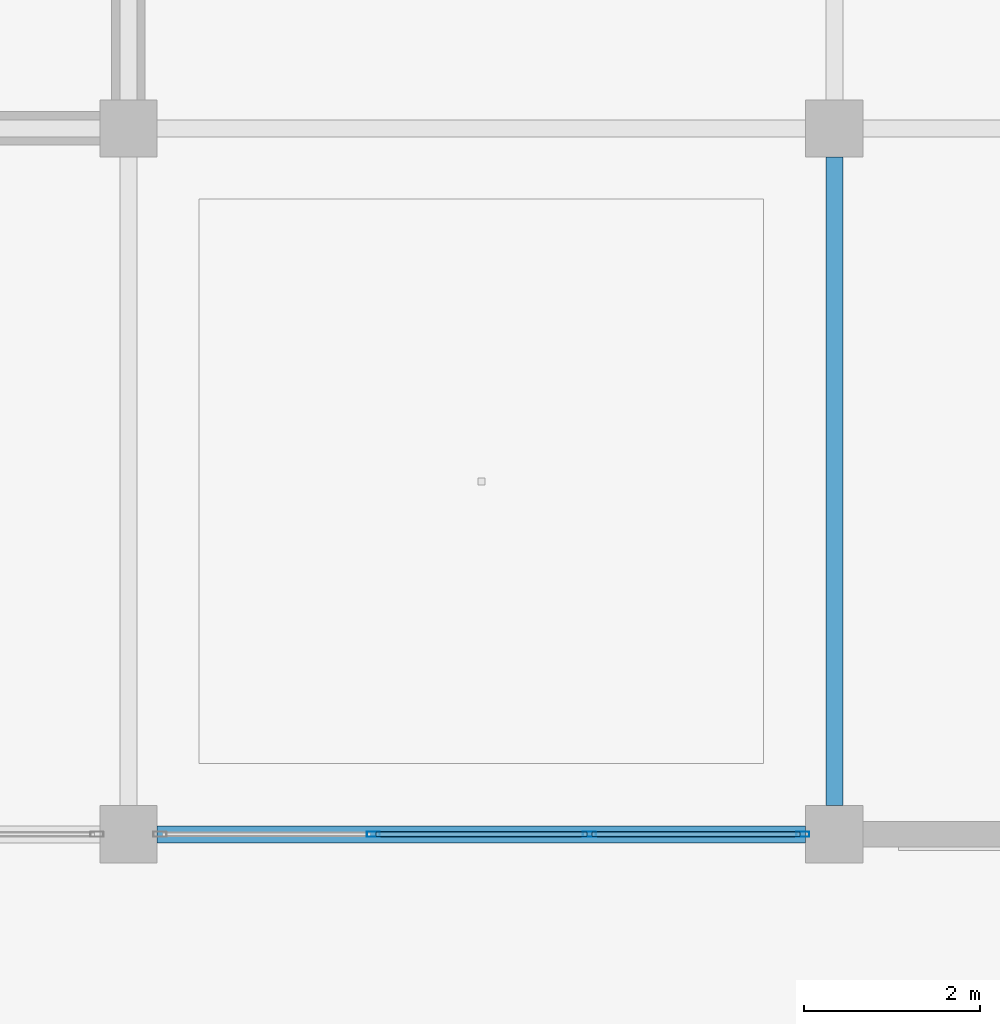
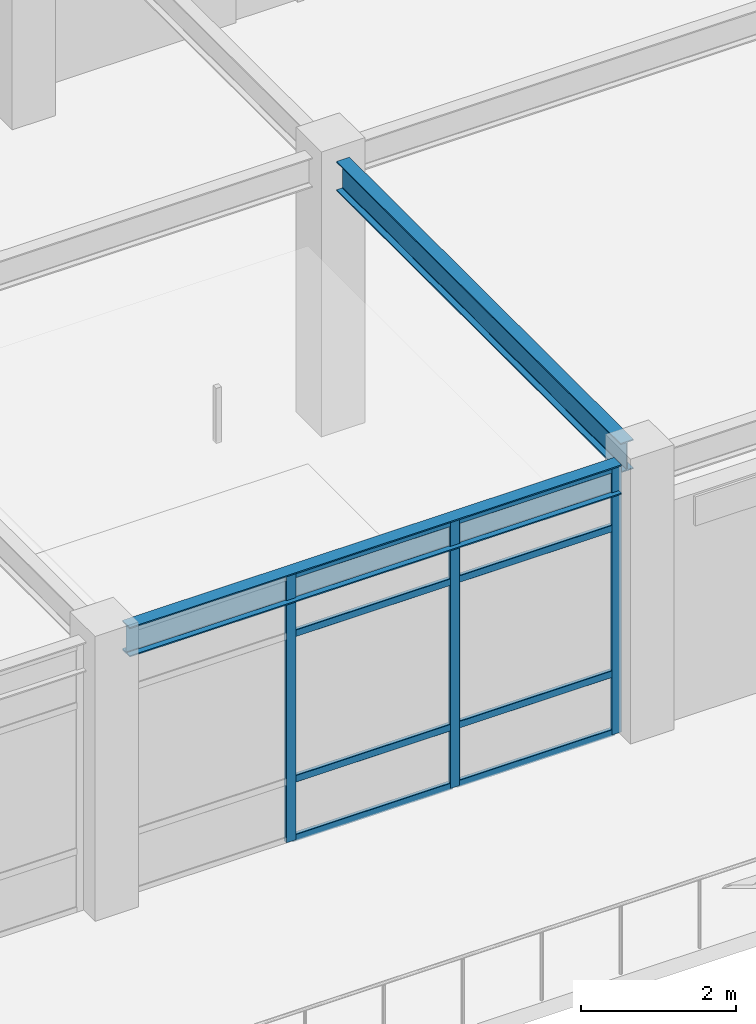
# One storey, part 40 of 78: 11 members, 2 beams, 1 element without a shape of its own.
"""IFC4 building model written with IfcOpenShell, lengths in metres."""

import ifcopenshell
import ifcopenshell.guid

model = None  # the IFC model being written
_history = None  # IfcOwnerHistory: only IFC2X3 demands one
_inside = {}  # id of a spatial element -> (the spatial element, [elements in it])
_under = {}  # id of a project, library or spatial element -> (it, [spatial elements below it])
_declared = {}  # id of a project -> (the project, [libraries it declares])
_typed = {}  # id of a type object -> (the type object, [elements of that type])
_made_of = {}  # id of a material, layer set ... -> (it, [elements and type objects made of it])


def new_model(schema):
    """Start an empty IFC model of exactly this schema.

    Asked for "IFC4X3", IfcOpenShell would pick the latest addendum, in which some entities
    have other attributes; the version numbers below select the first issue.
    IFC2X3 requires an IfcOwnerHistory on every rooted entity: one is made here for all.
    """
    global model, _history
    if schema == "IFC4X3":
        model = ifcopenshell.file(schema_version=(4, 3, 0, 0))
    else:
        model = ifcopenshell.file(schema=schema)
    _inside.clear()
    _under.clear()
    _declared.clear()
    _typed.clear()
    _made_of.clear()
    _history = None
    if model.schema == "IFC2X3":
        org = make("IfcOrganization", Name="unknown")
        user = make(
            "IfcPersonAndOrganization",
            ThePerson=make("IfcPerson", FamilyName="unknown"),
            TheOrganization=org,
        )
        app = make(
            "IfcApplication",
            ApplicationDeveloper=org,
            Version="unknown",
            ApplicationFullName="unknown",
            ApplicationIdentifier="unknown",
        )
        _history = make(
            "IfcOwnerHistory",
            OwningUser=user,
            OwningApplication=app,
            ChangeAction="ADDED",
            CreationDate=0,
        )
    return model


def make(cls, **values):
    """One entity of the class cls with the attributes given. An attribute that is None is left unset."""
    return model.create_entity(
        cls, **{name: value for name, value in values.items() if value is not None}
    )


def rooted(cls, **values):
    """An entity with a GlobalId (a new one), such as an element, a storey or a relation."""
    return make(cls, GlobalId=ifcopenshell.guid.new(), OwnerHistory=_history, **values)


def si_unit(unit_type, name, prefix=None):
    """IfcSIUnit, for example si_unit("LENGTHUNIT", "METRE", prefix="MILLI")."""
    return make("IfcSIUnit", UnitType=unit_type, Prefix=prefix, Name=name)


def assignment(units):
    """IfcUnitAssignment: the units of a project."""
    return None if units is None else make("IfcUnitAssignment", Units=units)


def point(xyz):
    """IfcCartesianPoint."""
    return None if xyz is None else make("IfcCartesianPoint", Coordinates=xyz)


def direction(xyz):
    """IfcDirection."""
    return None if xyz is None else make("IfcDirection", DirectionRatios=xyz)


def frame(location, z_axis=None, x_axis=None):
    """IfcAxis2Placement3D, a coordinate frame: its origin and axes. An axis left out is left unset."""
    return make(
        "IfcAxis2Placement3D",
        Location=point(location),
        Axis=direction(z_axis),
        RefDirection=direction(x_axis),
    )


def frame_2d(location, x_axis=None):
    """IfcAxis2Placement2D, a coordinate frame in the plane: its origin and x axis."""
    return make(
        "IfcAxis2Placement2D", Location=point(location), RefDirection=direction(x_axis)
    )


def origin():
    """The frame at (0, 0, 0) with its axes left unset."""
    return frame((0.0, 0.0, 0.0))


def origin_2d():
    """The frame at (0, 0) in the plane with its x axis left unset."""
    return frame_2d((0.0, 0.0))


def place(relative_to, where):
    """IfcLocalPlacement: puts the frame where relative to a parent placement (None: the world)."""
    return make(
        "IfcLocalPlacement", PlacementRelTo=relative_to, RelativePlacement=where
    )


def context(
    kind, dimensions, precision=None, world=None, true_north=None, identifier=None
):
    """IfcGeometricRepresentationContext, for example the 3D "Model" context."""
    return make(
        "IfcGeometricRepresentationContext",
        ContextIdentifier=identifier,
        ContextType=kind,
        CoordinateSpaceDimension=dimensions,
        Precision=precision,
        WorldCoordinateSystem=world,
        TrueNorth=true_north,
    )


def subcontext(parent, identifier, kind, view, scale=None):
    """IfcGeometricRepresentationSubContext, for example "Body" below "Model"."""
    return make(
        "IfcGeometricRepresentationSubContext",
        ContextIdentifier=identifier,
        ContextType=kind,
        ParentContext=parent,
        TargetScale=scale,
        TargetView=view,
    )


def project(units=None, contexts=None):
    """IfcProject with its units and contexts."""
    return rooted(
        "IfcProject",
        Name="project",
        RepresentationContexts=contexts,
        UnitsInContext=assignment(units),
    )


def spatial(cls, under=None, at=None, **own):
    """A site, building, storey or space (cls), placed at a placement, below another one or the project."""
    s = rooted(cls, ObjectPlacement=at, **own)
    if under is not None:
        _under.setdefault(under.id(), (under, []))[1].append(s)
    return s


def profile(cls, at=None, kind="AREA", **sizes):
    """A parametric profile (cls). Its sizes go by their IFC names, for example OverallWidth=200.0."""
    return make(cls, ProfileType=kind, Position=at, **sizes)


def hollow_rectangle(**sizes):
    """IfcRectangleHollowProfileDef."""
    return profile("IfcRectangleHollowProfileDef", **sizes)


def i_section(**sizes):
    """IfcIShapeProfileDef."""
    return profile("IfcIShapeProfileDef", **sizes)


def extrude(swept, where, along, depth):
    """IfcExtrudedAreaSolid: the profile swept, set in the frame where, extruded along a direction by depth."""
    return make(
        "IfcExtrudedAreaSolid",
        SweptArea=swept,
        Position=where,
        ExtrudedDirection=direction(along),
        Depth=depth,
    )


def shape(context_of_items, identifier, shape_type, items):
    """IfcShapeRepresentation: the items that make up one representation, for example the "Body"."""
    return make(
        "IfcShapeRepresentation",
        ContextOfItems=context_of_items,
        RepresentationIdentifier=identifier,
        RepresentationType=shape_type,
        Items=items,
    )


def material(Name=None, Category=None):
    """IfcMaterial."""
    return make("IfcMaterial", Name=Name, Category=Category)


def material_profile(
    of_material, cross_section, Name=None, Category=None, Priority=None
):
    """IfcMaterialProfile: a cross section and its material."""
    return make(
        "IfcMaterialProfile",
        Name=Name,
        Material=of_material,
        Profile=cross_section,
        Priority=Priority,
        Category=Category,
    )


def profile_set(profiles, Name=None, composite=None):
    """IfcMaterialProfileSet."""
    return make(
        "IfcMaterialProfileSet",
        Name=Name,
        MaterialProfiles=profiles,
        CompositeProfile=composite,
    )


def made_of(thing, what):
    """Note that an element or type object is made of a material, layer set ...; save() writes the relation."""
    if what is not None:
        _made_of.setdefault(what.id(), (what, []))[1].append(thing)
    return thing


def type_object(cls, material=None, **own):
    """A type object (cls), such as IfcWallType, which elements share."""
    return made_of(rooted(cls, **own), material)


def element(
    cls,
    number,
    at=None,
    inside=None,
    cuts=None,
    type_object=None,
    material=None,
    context=None,
    identifier="Body",
    shape_type=None,
    held_by="IfcProductDefinitionShape",
    body=None,
    shapes=None,
    **own,
):
    """One element of the class cls, such as IfcWall. Its Tag is "e" and its number.

    at: its placement. inside: the storey or other place that contains it. cuts: it is an
    opening in that element (IfcRelVoidsElement). A single representation is given by context,
    identifier, shape_type and body (its items); several are given by shapes. held_by: the class
    of the entity that holds the representations. save() writes the other relations.
    """
    e = rooted(cls, Tag="e%d" % number, ObjectPlacement=at, **own)
    if body is not None:
        shapes = [shape(context, identifier, shape_type, body)]
    if shapes is not None:
        e.Representation = make(held_by, Representations=shapes)
    if inside is not None:
        _inside.setdefault(inside.id(), (inside, []))[1].append(e)
    if cuts is not None:
        rooted(
            "IfcRelVoidsElement", RelatingBuildingElement=cuts, RelatedOpeningElement=e
        )
    if type_object is not None:
        _typed.setdefault(type_object.id(), (type_object, []))[1].append(e)
    return made_of(e, material)


def aggregate(whole, parts):
    """IfcRelAggregates: a whole, such as a stair, and the parts it consists of."""
    return rooted("IfcRelAggregates", RelatingObject=whole, RelatedObjects=parts)


def save(model, path):
    """Write the relations noted so far, then the file.

    IfcRelAggregates (storeys below a building ...), IfcRelContainedInSpatialStructure (elements
    in a storey), IfcRelDefinesByType, IfcRelAssociatesMaterial and IfcRelDeclares: one each for
    every whole, place, type object, material and project.
    """
    for whole, parts in _under.values():
        aggregate(whole, parts)
    for where, things in _inside.values():
        rooted(
            "IfcRelContainedInSpatialStructure",
            RelatedElements=things,
            RelatingStructure=where,
        )
    for kind, things in _typed.values():
        rooted("IfcRelDefinesByType", RelatedObjects=things, RelatingType=kind)
    for what, things in _made_of.values():
        rooted("IfcRelAssociatesMaterial", RelatedObjects=things, RelatingMaterial=what)
    for by, libraries in _declared.values():
        rooted("IfcRelDeclares", RelatingContext=by, RelatedDefinitions=libraries)
    model.write(path)


model = new_model("IFC4")

# Units and contexts
model_context = context("Model", 3, precision=1e-05, world=origin(), true_north=direction((0.0, 1.0)))
body_context = subcontext(model_context, "Body", "Model", "MODEL_VIEW")
ifc_project = project(units=[si_unit("LENGTHUNIT", "METRE"), si_unit("AREAUNIT", "SQUARE_METRE"), si_unit("VOLUMEUNIT", "CUBIC_METRE"), si_unit("PLANEANGLEUNIT", "RADIAN"), si_unit("MASSUNIT", "GRAM", prefix="KILO")], contexts=[model_context])

# Site, building, storey
site_placement = place(None, origin())
site = spatial("IfcSite", under=ifc_project, at=site_placement, CompositionType="ELEMENT")
building_placement = place(site_placement, origin())
building = spatial("IfcBuilding", under=site, at=building_placement, Name="Solmirada Galleria", CompositionType="ELEMENT")
storey_placement = place(building_placement, frame((0.0, 0.0, 23.89990234375)))
storey = spatial("IfcBuildingStorey", under=building, at=storey_placement, Name="L05", CompositionType="ELEMENT", Elevation=23.89990234375)

# Beams
ifc_material_1 = material(Name="Steel S355 / ASTM A992 Grade 50", Category="steel")
ifc_material_profile_1 = material_profile(ifc_material_1, i_section(OverallWidth=0.193115234375, OverallDepth=0.466064453125, WebThickness=0.011474609375, FlangeThickness=0.01904296875, FilletRadius=0.013916015625, at=origin_2d()), Name="W18X65")
ifc_profile_set_1 = profile_set([ifc_material_profile_1], Name="Steel S355 / ASTM A992 Grade 50")
beam_type = type_object("IfcBeamType", Name="BM-GIRD-W18C", PredefinedType="BEAM", material=ifc_profile_set_1)
for number, where, z_axis, x_axis, name in (
    (1, (48.324951171875, 96.0, 4.0400390625), (1.0, 0.0, 0.0), (0.0, 1.0, 0.0), "North roof girder X=48..56"),
    (2, (56.0, 96.324951171875, 4.0400390625), (0.0, 1.0, 0.0), (-1.0, 0.0, 0.0), "North roof girder Y=96..104"),
):
    element("IfcBeam", number, at=place(storey_placement, frame(where, z_axis=z_axis, x_axis=x_axis)), inside=storey, type_object=beam_type, Name=name, PredefinedType="BEAM", context=body_context, shape_type="SweptSolid", body=[
        extrude(i_section(OverallWidth=0.193115234375, OverallDepth=0.466064453125, WebThickness=0.011474609375, FlangeThickness=0.01904296875, FilletRadius=0.013916015625, at=origin_2d()), origin(), (0.0, 0.0, 1.0), 7.35009765625),
    ])

# Curtain wall, members
ifc_material_2 = material(Name="Impact-resistant low-E double glazing", Category="glass")
curtain_wall_type = type_object("IfcCurtainWallType", Name="CW-FZ4-L05-B3-L074", PredefinedType="NOTDEFINED", material=ifc_material_2)
curtain_wall_placement = place(storey_placement, origin())
curtain_wall = element("IfcCurtainWall", 3, at=curtain_wall_placement, inside=storey, type_object=curtain_wall_type, Name="Terrace and arcade storefront CW-L05-171", PredefinedType="NOTDEFINED")
ifc_material_3 = material(Name="Anodised aluminium framing", Category="aluminium")
ifc_material_profile_2 = material_profile(ifc_material_3, hollow_rectangle(XDim=0.06005859375, YDim=0.14990234375, WallThickness=0.00341796875, InnerFilletRadius=0.00341796875, OuterFilletRadius=0.007080078125, at=origin_2d()), Name="ALU-MULL-150X60")
ifc_profile_set_2 = profile_set([ifc_material_profile_2], Name="Anodised aluminium framing")
member_type_1 = type_object("IfcMemberType", Name="CW-MULL-150", PredefinedType="MULLION", material=ifc_profile_set_2)
member_1_placement = place(storey_placement, frame((55.64306640625, 96.0, 0.0), z_axis=(0.0, 0.0, 1.0), x_axis=(0.0, -1.0, 0.0)))
member_1 = element("IfcMember", 4, at=member_1_placement, type_object=member_type_1, Name="CW34 mullion 1", PredefinedType="MULLION", context=body_context, shape_type="SweptSolid", body=[
    extrude(hollow_rectangle(XDim=0.06005859375, YDim=0.14990234375, WallThickness=0.00341796875, InnerFilletRadius=0.00341796875, OuterFilletRadius=0.007080078125, at=origin_2d()), origin(), (0.0, 0.0, 1.0), 4.22021484375),
])
member_2_placement = place(storey_placement, frame((53.224365234375, 96.0, 0.0), z_axis=(0.0, 0.0, 1.0), x_axis=(0.0, -1.0, 0.0)))
member_2 = element("IfcMember", 5, at=member_2_placement, type_object=member_type_1, Name="CW34 mullion 2", PredefinedType="MULLION", context=body_context, shape_type="SweptSolid", body=[
    extrude(hollow_rectangle(XDim=0.06005859375, YDim=0.14990234375, WallThickness=0.00341796875, InnerFilletRadius=0.00341796875, OuterFilletRadius=0.007080078125, at=origin_2d()), origin(), (0.0, 0.0, 1.0), 4.22021484375),
])
member_3_placement = place(storey_placement, frame((50.775634765625, 96.0, 0.0), z_axis=(0.0, 0.0, 1.0), x_axis=(0.0, -1.0, 0.0)))
member_3 = element("IfcMember", 6, at=member_3_placement, type_object=member_type_1, Name="CW34 mullion 3", PredefinedType="MULLION", context=body_context, shape_type="SweptSolid", body=[
    extrude(hollow_rectangle(XDim=0.06005859375, YDim=0.14990234375, WallThickness=0.00341796875, InnerFilletRadius=0.00341796875, OuterFilletRadius=0.007080078125, at=origin_2d()), origin(), (0.0, 0.0, 1.0), 4.22021484375),
])
ifc_material_profile_3 = material_profile(ifc_material_3, hollow_rectangle(XDim=0.06005859375, YDim=0.110107421875, WallThickness=0.003173828125, InnerFilletRadius=0.003173828125, OuterFilletRadius=0.00634765625, at=origin_2d()), Name="ALU-TRAN-110X60")
ifc_profile_set_3 = profile_set([ifc_material_profile_3], Name="Anodised aluminium framing")
member_type_2 = type_object("IfcMemberType", Name="CW-TRAN-110", PredefinedType="USERDEFINED", material=ifc_profile_set_3)
member_4_placement = place(storey_placement, frame((55.613037109375, 96.0, 0.030029296875), z_axis=(-1.0, 0.0, 0.0), x_axis=(0.0, -1.0, 0.0)))
member_4 = element("IfcMember", 7, at=member_4_placement, type_object=member_type_2, Name="CW34 transom 1.1", ObjectType="TRANSOM", PredefinedType="USERDEFINED", context=body_context, shape_type="SweptSolid", body=[
    extrude(hollow_rectangle(XDim=0.06005859375, YDim=0.110107421875, WallThickness=0.003173828125, InnerFilletRadius=0.003173828125, OuterFilletRadius=0.00634765625, at=origin_2d()), origin(), (0.0, 0.0, 1.0), 2.358642578125),
])
member_5_placement = place(storey_placement, frame((55.613037109375, 96.0, 0.960205078125), z_axis=(-1.0, 0.0, 0.0), x_axis=(0.0, -1.0, 0.0)))
member_5 = element("IfcMember", 8, at=member_5_placement, type_object=member_type_2, Name="CW34 transom 1.2", ObjectType="TRANSOM", PredefinedType="USERDEFINED", context=body_context, shape_type="SweptSolid", body=[
    extrude(hollow_rectangle(XDim=0.06005859375, YDim=0.110107421875, WallThickness=0.003173828125, InnerFilletRadius=0.003173828125, OuterFilletRadius=0.00634765625, at=origin_2d()), origin(), (0.0, 0.0, 1.0), 2.358642578125),
])
member_6_placement = place(storey_placement, frame((55.613037109375, 96.0, 3.260009765625), z_axis=(-1.0, 0.0, 0.0), x_axis=(0.0, -1.0, 0.0)))
member_6 = element("IfcMember", 9, at=member_6_placement, type_object=member_type_2, Name="CW34 transom 1.3", ObjectType="TRANSOM", PredefinedType="USERDEFINED", context=body_context, shape_type="SweptSolid", body=[
    extrude(hollow_rectangle(XDim=0.06005859375, YDim=0.110107421875, WallThickness=0.003173828125, InnerFilletRadius=0.003173828125, OuterFilletRadius=0.00634765625, at=origin_2d()), origin(), (0.0, 0.0, 1.0), 2.358642578125),
])
member_7_placement = place(storey_placement, frame((55.613037109375, 96.0, 4.190185546875), z_axis=(-1.0, 0.0, 0.0), x_axis=(0.0, -1.0, 0.0)))
member_7 = element("IfcMember", 10, at=member_7_placement, type_object=member_type_2, Name="CW34 transom 1.4", ObjectType="TRANSOM", PredefinedType="USERDEFINED", context=body_context, shape_type="SweptSolid", body=[
    extrude(hollow_rectangle(XDim=0.06005859375, YDim=0.110107421875, WallThickness=0.003173828125, InnerFilletRadius=0.003173828125, OuterFilletRadius=0.00634765625, at=origin_2d()), origin(), (0.0, 0.0, 1.0), 2.358642578125),
])
member_8_placement = place(storey_placement, frame((53.1943359375, 96.0, 0.030029296875), z_axis=(-1.0, 0.0, 0.0), x_axis=(0.0, -1.0, 0.0)))
member_8 = element("IfcMember", 11, at=member_8_placement, type_object=member_type_2, Name="CW34 transom 2.1", ObjectType="TRANSOM", PredefinedType="USERDEFINED", context=body_context, shape_type="SweptSolid", body=[
    extrude(hollow_rectangle(XDim=0.06005859375, YDim=0.110107421875, WallThickness=0.003173828125, InnerFilletRadius=0.003173828125, OuterFilletRadius=0.00634765625, at=origin_2d()), origin(), (0.0, 0.0, 1.0), 2.388671875),
])
member_9_placement = place(storey_placement, frame((53.1943359375, 96.0, 0.960205078125), z_axis=(-1.0, 0.0, 0.0), x_axis=(0.0, -1.0, 0.0)))
member_9 = element("IfcMember", 12, at=member_9_placement, type_object=member_type_2, Name="CW34 transom 2.2", ObjectType="TRANSOM", PredefinedType="USERDEFINED", context=body_context, shape_type="SweptSolid", body=[
    extrude(hollow_rectangle(XDim=0.06005859375, YDim=0.110107421875, WallThickness=0.003173828125, InnerFilletRadius=0.003173828125, OuterFilletRadius=0.00634765625, at=origin_2d()), origin(), (0.0, 0.0, 1.0), 2.388671875),
])
member_10_placement = place(storey_placement, frame((53.1943359375, 96.0, 3.260009765625), z_axis=(-1.0, 0.0, 0.0), x_axis=(0.0, -1.0, 0.0)))
member_10 = element("IfcMember", 13, at=member_10_placement, type_object=member_type_2, Name="CW34 transom 2.3", ObjectType="TRANSOM", PredefinedType="USERDEFINED", context=body_context, shape_type="SweptSolid", body=[
    extrude(hollow_rectangle(XDim=0.06005859375, YDim=0.110107421875, WallThickness=0.003173828125, InnerFilletRadius=0.003173828125, OuterFilletRadius=0.00634765625, at=origin_2d()), origin(), (0.0, 0.0, 1.0), 2.388671875),
])
member_11_placement = place(storey_placement, frame((53.1943359375, 96.0, 4.190185546875), z_axis=(-1.0, 0.0, 0.0), x_axis=(0.0, -1.0, 0.0)))
member_11 = element("IfcMember", 14, at=member_11_placement, type_object=member_type_2, Name="CW34 transom 2.4", ObjectType="TRANSOM", PredefinedType="USERDEFINED", context=body_context, shape_type="SweptSolid", body=[
    extrude(hollow_rectangle(XDim=0.06005859375, YDim=0.110107421875, WallThickness=0.003173828125, InnerFilletRadius=0.003173828125, OuterFilletRadius=0.00634765625, at=origin_2d()), origin(), (0.0, 0.0, 1.0), 2.388671875),
])
aggregate(curtain_wall, [member_1, member_2, member_3, member_4, member_5, member_6, member_7, member_8, member_9, member_10, member_11])

save(model, "model.ifc")
